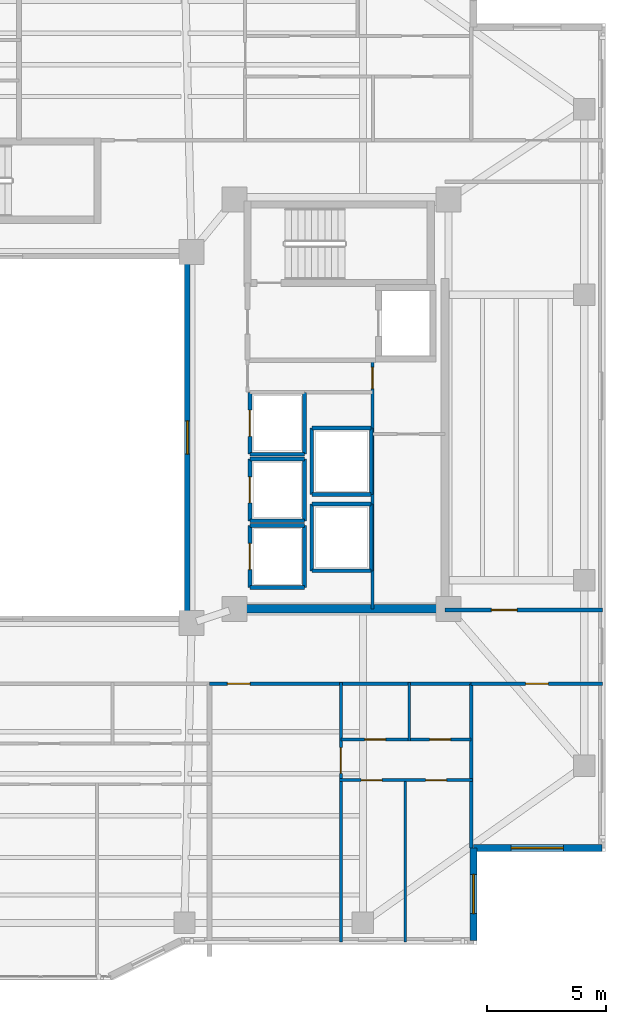
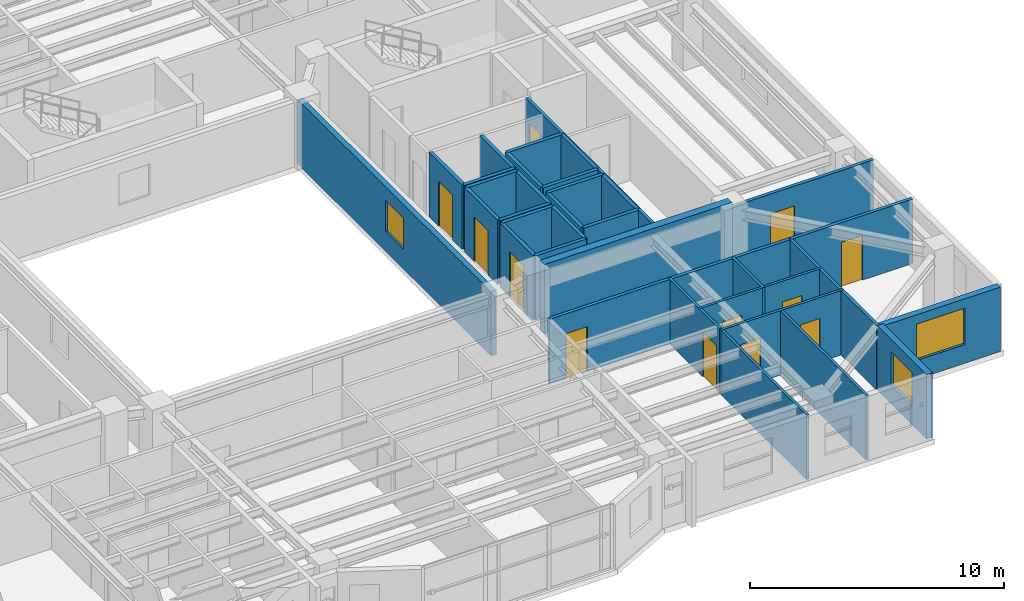
# One storey, part 8 of 15: 34 walls, 12 doors, 3 windows, 15 openings.
"""IFC4 building model written with IfcOpenShell, lengths in metres."""

from ifc_helpers import new_model, si_unit, direction, frame, frame_2d, origin, place, context, subcontext, project, spatial, rectangle, extrude, material, layer, layer_set, type_object, element, fill, save


model = new_model("IFC4")

# Units and contexts
model_context = context("Model", 3, precision=1e-05, world=origin(), true_north=direction((0.0, 1.0)))
body_context = subcontext(model_context, "Body", "Model", "MODEL_VIEW")
ifc_project = project(units=[si_unit("LENGTHUNIT", "METRE"), si_unit("AREAUNIT", "SQUARE_METRE"), si_unit("VOLUMEUNIT", "CUBIC_METRE"), si_unit("PLANEANGLEUNIT", "RADIAN"), si_unit("MASSUNIT", "GRAM", prefix="KILO")], contexts=[model_context])

# Site, building, storey
site_placement = place(None, origin())
site = spatial("IfcSite", under=ifc_project, at=site_placement, CompositionType="ELEMENT")
building_placement = place(site_placement, origin())
building = spatial("IfcBuilding", under=site, at=building_placement, Name="Tarnavaz Court Tower", CompositionType="ELEMENT")
storey_placement = place(building_placement, frame((0.0, 0.0, 162.75)))
storey = spatial("IfcBuildingStorey", under=building, at=storey_placement, Name="L44", CompositionType="ELEMENT", Elevation=162.75)

# Wall
ifc_material_1 = material(Name="Concrete C50/60", Category="concrete")
ifc_layer_1 = layer(ifc_material_1, 0.35009765625)
ifc_layer_set_1 = layer_set([ifc_layer_1], Name="Concrete C50/60")
wall_type_1 = type_object("IfcWallType", Name="WL-CORE-350-C50", PredefinedType="SHEAR", material=ifc_layer_set_1)
wall_1_placement = place(storey_placement, frame((10.074951171875, -7.199951171875, 0.0), z_axis=(0.0, 0.0, 1.0), x_axis=(1.0, 0.0, 0.0)))
element("IfcWall", 1, at=wall_1_placement, inside=storey, type_object=wall_type_1, Name="L44 East Core South Shear Wall 060", PredefinedType="SHEAR", context=body_context, shape_type="SweptSolid", body=[
    extrude(rectangle(XDim=8.550048828125, YDim=0.35009765625, at=frame_2d((4.27490234375, 0.0))), origin(), (0.0, 0.0, 1.0), 3.35009765625),
])

# Wall, opening, window
ifc_material_2 = material(Name="Precast Concrete C40/50", Category="concrete")
ifc_layer_2 = layer(ifc_material_2, 0.280029296875)
ifc_layer_set_2 = layer_set([ifc_layer_2], Name="Precast Concrete C40/50")
wall_type_2 = type_object("IfcWallType", Name="WL-EXT-280", PredefinedType="SOLIDWALL", material=ifc_layer_set_2)
wall_2_placement = place(storey_placement, frame((25.050048828125, -17.25, 0.0), z_axis=(0.0, 0.0, 1.0), x_axis=(-1.0, 0.0, 0.0)))
wall_2 = element("IfcWall", 2, at=wall_2_placement, inside=storey, type_object=wall_type_2, Name="L44 Exterior Terracotta Facade Wall 13", PredefinedType="SOLIDWALL", context=body_context, shape_type="SweptSolid", body=[
    extrude(rectangle(XDim=5.400146484375, YDim=0.280029296875, at=frame_2d((2.7001953125, 0.0))), origin(), (0.0, 0.0, 1.0), 3.10009765625),
])
opening_1_placement = place(wall_2_placement, frame((1.625, 0.0, 0.89990234375)))
opening_1 = element("IfcOpeningElement", 3, at=opening_1_placement, cuts=wall_2, Name="Opening W07", PredefinedType="OPENING", context=body_context, shape_type="SweptSolid", body=[
    extrude(rectangle(XDim=2.199951171875, YDim=1.75, at=frame_2d((1.10009765625, 0.875))), frame((0.0, 0.14990234375, 0.0), z_axis=(0.0, -1.0, 0.0), x_axis=(1.0, 0.0, 0.0)), (0.0, 0.0, 1.0), 0.300048828125),
])
ifc_material_3 = material(Name="Double-Glazed Solar Low-E Glass", Category="glass")
window_type_1 = type_object("IfcWindowType", Name="WN-APT-2200", PartitioningType="TRIPLE_PANEL_VERTICAL", PredefinedType="WINDOW", material=ifc_material_3)
window_1_placement = place(opening_1_placement, origin())
window_1 = element("IfcWindow", 4, at=window_1_placement, inside=storey, type_object=window_type_1, Name="L44 South-East Corner Reading Room Window", OverallHeight=1.75, OverallWidth=2.199951171875, PartitioningType="SINGLE_PANEL", PredefinedType="WINDOW", context=body_context, shape_type="SweptSolid", body=[
    extrude(rectangle(XDim=2.199951171875, YDim=1.75, at=frame_2d((1.10009765625, 0.875))), frame((0.0, 0.030029296875, 0.0), z_axis=(0.0, -1.0, 0.0), x_axis=(1.0, 0.0, 0.0)), (0.0, 0.0, 1.0), 0.06005859375),
])
fill(opening_1, window_1)

wall_3_placement = place(storey_placement, frame((19.64990234375, -17.25, 0.0), z_axis=(0.0, 0.0, 1.0), x_axis=(0.0, -1.0, 0.0)))
wall_3 = element("IfcWall", 5, at=wall_3_placement, inside=storey, type_object=wall_type_2, Name="L44 Exterior Terracotta Facade Wall 14", PredefinedType="SOLIDWALL", context=body_context, shape_type="SweptSolid", body=[
    extrude(rectangle(XDim=3.89990234375, YDim=0.280029296875, at=frame_2d((1.949951171875, 0.0))), origin(), (0.0, 0.0, 1.0), 3.10009765625),
])
opening_2_placement = place(wall_3_placement, frame((1.107177734375, 0.0, 0.89990234375)))
opening_2 = element("IfcOpeningElement", 6, at=opening_2_placement, cuts=wall_3, Name="Opening W02", PredefinedType="OPENING", context=body_context, shape_type="SweptSolid", body=[
    extrude(rectangle(XDim=1.64990234375, YDim=1.60009765625, at=frame_2d((0.824951171875, 0.800048828125))), frame((0.0, 0.14990234375, 0.0), z_axis=(0.0, -1.0, 0.0), x_axis=(1.0, 0.0, 0.0)), (0.0, 0.0, 1.0), 0.300048828125),
])
window_type_2 = type_object("IfcWindowType", Name="WN-APT-1650", PartitioningType="DOUBLE_PANEL_VERTICAL", PredefinedType="WINDOW", material=ifc_material_3)
window_2_placement = place(opening_2_placement, origin())
window_2 = element("IfcWindow", 7, at=window_2_placement, inside=storey, type_object=window_type_2, Name="L44 Flat 04 Bedroom 2 Window", OverallHeight=1.60009765625, OverallWidth=1.64990234375, PartitioningType="SINGLE_PANEL", PredefinedType="WINDOW", context=body_context, shape_type="SweptSolid", body=[
    extrude(rectangle(XDim=1.64990234375, YDim=1.60009765625, at=frame_2d((0.824951171875, 0.800048828125))), frame((0.0, 0.030029296875, 0.0), z_axis=(0.0, -1.0, 0.0), x_axis=(1.0, 0.0, 0.0)), (0.0, 0.0, 1.0), 0.06005859375),
])
fill(opening_2, window_2)

# Wall, opening, door
ifc_material_4 = material(Name="Gypsum Fire-Board on Acoustic Metal Stud", Category="masonry")
ifc_layer_3 = layer(ifc_material_4, 0.14990234375)
ifc_layer_set_3 = layer_set([ifc_layer_3], Name="Gypsum Fire-Board on Acoustic Metal Stud")
wall_type_3 = type_object("IfcWallType", Name="WL-FIRE-150", PredefinedType="PARTITIONING", material=ifc_layer_set_3)
wall_4_placement = place(storey_placement, frame((8.550048828125, -10.35009765625, 0.0), z_axis=(0.0, 0.0, 1.0), x_axis=(1.0, 0.0, 0.0)))
wall_4 = element("IfcWall", 8, at=wall_4_placement, inside=storey, type_object=wall_type_3, Name="L44 SE Horseshoe Wall 075", PredefinedType="PARTITIONING", context=body_context, shape_type="SweptSolid", body=[
    extrude(rectangle(XDim=11.0, YDim=0.14990234375, at=frame_2d((5.5, 0.0))), origin(), (0.0, 0.0, 1.0), 3.10009765625),
])
opening_3_placement = place(wall_4_placement, frame((0.75, 0.0, 0.0)))
opening_3 = element("IfcOpeningElement", 9, at=opening_3_placement, cuts=wall_4, Name="Opening D06", PredefinedType="OPENING", context=body_context, shape_type="SweptSolid", body=[
    extrude(rectangle(XDim=0.9599609375, YDim=2.14990234375, at=frame_2d((0.47998046875, 1.074951171875))), frame((0.0, 0.0849609375, 0.0), z_axis=(0.0, -1.0, 0.0), x_axis=(1.0, 0.0, 0.0)), (0.0, 0.0, 1.0), 0.169921875),
])
ifc_material_5 = material(Name="Fire-Rated Hardwood Timber Core", Category="wood")
door_type_1 = type_object("IfcDoorType", Name="DR-FD60-950", OperationType="NOTDEFINED", PredefinedType="DOOR", material=ifc_material_5)
door_1_placement = place(opening_3_placement, origin())
door_1 = element("IfcDoor", 10, at=door_1_placement, inside=storey, type_object=door_type_1, Name="L44 Flat 04 Entrance Door", OperationType="SINGLE_SWING_RIGHT", OverallHeight=2.14990234375, OverallWidth=0.9599609375, PredefinedType="DOOR", context=body_context, shape_type="SweptSolid", body=[
    extrude(rectangle(XDim=0.9599609375, YDim=2.14990234375, at=frame_2d((0.47998046875, 1.074951171875))), frame((0.0, 0.02490234375, 0.0), z_axis=(0.0, -1.0, 0.0), x_axis=(1.0, 0.0, 0.0)), (0.0, 0.0, 1.0), 0.050048828125),
])
fill(opening_3, door_1)

wall_5_placement = place(storey_placement, frame((18.449951171875, -7.25, 0.0), z_axis=(0.0, 0.0, 1.0), x_axis=(1.0, 0.0, 0.0)))
wall_5 = element("IfcWall", 11, at=wall_5_placement, inside=storey, type_object=wall_type_3, Name="L44 Interior Partition 112", PredefinedType="PARTITIONING", context=body_context, shape_type="SweptSolid", body=[
    extrude(rectangle(XDim=6.630126953125, YDim=0.14990234375, at=frame_2d((3.31494140625, 0.0))), origin(), (0.0, 0.0, 1.0), 3.10009765625),
])
opening_4_placement = place(wall_5_placement, frame((1.949951171875, 0.0, 0.0)))
opening_4 = element("IfcOpeningElement", 12, at=opening_4_placement, cuts=wall_5, Name="Opening D12", PredefinedType="OPENING", context=body_context, shape_type="SweptSolid", body=[
    extrude(rectangle(XDim=1.080078125, YDim=2.14990234375, at=frame_2d((0.5400390625, 1.074951171875))), frame((0.0, 0.0849609375, 0.0), z_axis=(0.0, -1.0, 0.0), x_axis=(1.0, 0.0, 0.0)), (0.0, 0.0, 1.0), 0.169921875),
])
ifc_material_6 = material(Name="Engineered Oak Timber", Category="wood")
door_type_2 = type_object("IfcDoorType", Name="DR-INT-1100", OperationType="NOTDEFINED", PredefinedType="DOOR", material=ifc_material_6)
door_2_placement = place(opening_4_placement, origin())
door_2 = element("IfcDoor", 13, at=door_2_placement, inside=storey, type_object=door_type_2, Name="L44 East Fitness Lounge Door", OperationType="SINGLE_SWING_LEFT", OverallHeight=2.14990234375, OverallWidth=1.080078125, PredefinedType="DOOR", context=body_context, shape_type="SweptSolid", body=[
    extrude(rectangle(XDim=1.080078125, YDim=2.14990234375, at=frame_2d((0.5400390625, 1.074951171875))), frame((0.0, 0.02490234375, 0.0), z_axis=(0.0, -1.0, 0.0), x_axis=(1.0, 0.0, 0.0)), (0.0, 0.0, 1.0), 0.050048828125),
])
fill(opening_4, door_2)

wall_6_placement = place(storey_placement, frame((19.550048828125, -10.35009765625, 0.0), z_axis=(0.0, 0.0, 1.0), x_axis=(1.0, 0.0, 0.0)))
wall_6 = element("IfcWall", 14, at=wall_6_placement, inside=storey, type_object=wall_type_3, Name="L44 Interior Partition 121", PredefinedType="PARTITIONING", context=body_context, shape_type="SweptSolid", body=[
    extrude(rectangle(XDim=5.530029296875, YDim=0.14990234375, at=frame_2d((2.76513671875, 0.0))), origin(), (0.0, 0.0, 1.0), 3.10009765625),
])
opening_5_placement = place(wall_6_placement, frame((2.2900390625, 0.0, 0.0)))
opening_5 = element("IfcOpeningElement", 15, at=opening_5_placement, cuts=wall_6, Name="Opening D13", PredefinedType="OPENING", context=body_context, shape_type="SweptSolid", body=[
    extrude(rectangle(XDim=0.949951171875, YDim=2.14990234375, at=frame_2d((0.47509765625, 1.074951171875))), frame((0.0, 0.0849609375, 0.0), z_axis=(0.0, -1.0, 0.0), x_axis=(1.0, 0.0, 0.0)), (0.0, 0.0, 1.0), 0.169921875),
])
door_type_3 = type_object("IfcDoorType", Name="DR-INT-950", OperationType="NOTDEFINED", PredefinedType="DOOR", material=ifc_material_6)
door_3_placement = place(opening_5_placement, origin())
door_3 = element("IfcDoor", 16, at=door_3_placement, inside=storey, type_object=door_type_3, Name="L44 SE Reading Room Door", OperationType="SINGLE_SWING_LEFT", OverallHeight=2.14990234375, OverallWidth=0.949951171875, PredefinedType="DOOR", context=body_context, shape_type="SweptSolid", body=[
    extrude(rectangle(XDim=0.949951171875, YDim=2.14990234375, at=frame_2d((0.47509765625, 1.074951171875))), frame((0.0, 0.02490234375, 0.0), z_axis=(0.0, -1.0, 0.0), x_axis=(1.0, 0.0, 0.0)), (0.0, 0.0, 1.0), 0.050048828125),
])
fill(opening_5, door_3)

ifc_material_7 = material(Name="Moisture-Resistant Gypsum Board Partition", Category="masonry")
ifc_layer_4 = layer(ifc_material_7, 0.1201171875)
ifc_layer_set_4 = layer_set([ifc_layer_4], Name="Moisture-Resistant Gypsum Board Partition")
wall_type_4 = type_object("IfcWallType", Name="WL-PART-120", PredefinedType="PARTITIONING", material=ifc_layer_set_4)
wall_7_placement = place(storey_placement, frame((14.074951171875, -21.199951171875, 0.0), z_axis=(0.0, 0.0, 1.0), x_axis=(0.0, 1.0, 0.0)))
wall_7 = element("IfcWall", 17, at=wall_7_placement, inside=storey, type_object=wall_type_4, Name="L44 Interior Partition 095", PredefinedType="PARTITIONING", context=body_context, shape_type="SweptSolid", body=[
    extrude(rectangle(XDim=10.909912109375, YDim=0.1201171875, at=frame_2d((5.455078125, 0.0))), origin(), (0.0, 0.0, 1.0), 3.10009765625),
])
opening_6_placement = place(wall_7_placement, frame((7.0849609375, 0.0, 0.0)))
opening_6 = element("IfcOpeningElement", 18, at=opening_6_placement, cuts=wall_7, Name="Opening D12", PredefinedType="OPENING", context=body_context, shape_type="SweptSolid", body=[
    extrude(rectangle(XDim=1.080078125, YDim=2.14990234375, at=frame_2d((0.5400390625, 1.074951171875))), frame((0.0, 0.070068359375, 0.0), z_axis=(0.0, -1.0, 0.0), x_axis=(1.0, 0.0, 0.0)), (0.0, 0.0, 1.0), 0.14013671875),
])
door_4_placement = place(opening_6_placement, origin())
door_4 = element("IfcDoor", 19, at=door_4_placement, inside=storey, type_object=door_type_2, Name="L44 Flat 04 Foyer Door", OperationType="SINGLE_SWING_LEFT", OverallHeight=2.14990234375, OverallWidth=1.080078125, PredefinedType="DOOR", context=body_context, shape_type="SweptSolid", body=[
    extrude(rectangle(XDim=1.080078125, YDim=2.14990234375, at=frame_2d((0.5400390625, 1.074951171875))), frame((0.0, 0.02490234375, 0.0), z_axis=(0.0, -1.0, 0.0), x_axis=(1.0, 0.0, 0.0)), (0.0, 0.0, 1.0), 0.050048828125),
])
fill(opening_6, door_4)

wall_8_placement = place(storey_placement, frame((14.074951171875, -12.68994140625, 0.0), z_axis=(0.0, 0.0, 1.0), x_axis=(1.0, 0.0, 0.0)))
wall_8 = element("IfcWall", 20, at=wall_8_placement, inside=storey, type_object=wall_type_4, Name="L44 Interior Partition 096", PredefinedType="PARTITIONING", context=body_context, shape_type="SweptSolid", body=[
    extrude(rectangle(XDim=2.8701171875, YDim=0.1201171875, at=frame_2d((1.43505859375, 0.0))), origin(), (0.0, 0.0, 1.0), 3.10009765625),
])
opening_7_placement = place(wall_8_placement, frame((0.9951171875, 0.0, 0.0)))
opening_7 = element("IfcOpeningElement", 21, at=opening_7_placement, cuts=wall_8, Name="Opening D14", PredefinedType="OPENING", context=body_context, shape_type="SweptSolid", body=[
    extrude(rectangle(XDim=0.8798828125, YDim=2.10009765625, at=frame_2d((0.43994140625, 1.050048828125))), frame((0.0, 0.070068359375, 0.0), z_axis=(0.0, -1.0, 0.0), x_axis=(1.0, 0.0, 0.0)), (0.0, 0.0, 1.0), 0.14013671875),
])
door_type_4 = type_object("IfcDoorType", Name="DR-INT-900", OperationType="NOTDEFINED", PredefinedType="DOOR", material=ifc_material_6)
door_5_placement = place(opening_7_placement, origin())
door_5 = element("IfcDoor", 22, at=door_5_placement, inside=storey, type_object=door_type_4, Name="L44 Flat 04 Kitchen Door", OperationType="SINGLE_SWING_RIGHT", OverallHeight=2.10009765625, OverallWidth=0.8798828125, PredefinedType="DOOR", context=body_context, shape_type="SweptSolid", body=[
    extrude(rectangle(XDim=0.8798828125, YDim=2.10009765625, at=frame_2d((0.43994140625, 1.050048828125))), frame((0.0, 0.02490234375, 0.0), z_axis=(0.0, -1.0, 0.0), x_axis=(1.0, 0.0, 0.0)), (0.0, 0.0, 1.0), 0.050048828125),
])
fill(opening_7, door_5)

wall_9_placement = place(storey_placement, frame((16.945068359375, -12.68994140625, 0.0), z_axis=(0.0, 0.0, 1.0), x_axis=(1.0, 0.0, 0.0)))
wall_9 = element("IfcWall", 23, at=wall_9_placement, inside=storey, type_object=wall_type_4, Name="L44 Interior Partition 097", PredefinedType="PARTITIONING", context=body_context, shape_type="SweptSolid", body=[
    extrude(rectangle(XDim=2.60498046875, YDim=0.1201171875, at=frame_2d((1.302490234375, 0.0))), origin(), (0.0, 0.0, 1.0), 3.10009765625),
])
opening_8_placement = place(wall_9_placement, frame((0.863037109375, 0.0, 0.0)))
opening_8 = element("IfcOpeningElement", 24, at=opening_8_placement, cuts=wall_9, Name="Opening D14", PredefinedType="OPENING", context=body_context, shape_type="SweptSolid", body=[
    extrude(rectangle(XDim=0.8798828125, YDim=2.10009765625, at=frame_2d((0.43994140625, 1.050048828125))), frame((0.0, 0.070068359375, 0.0), z_axis=(0.0, -1.0, 0.0), x_axis=(1.0, 0.0, 0.0)), (0.0, 0.0, 1.0), 0.14013671875),
])
door_6_placement = place(opening_8_placement, origin())
door_6 = element("IfcDoor", 25, at=door_6_placement, inside=storey, type_object=door_type_4, Name="L44 Flat 04 Bathroom Door", OperationType="SINGLE_SWING_LEFT", OverallHeight=2.10009765625, OverallWidth=0.8798828125, PredefinedType="DOOR", context=body_context, shape_type="SweptSolid", body=[
    extrude(rectangle(XDim=0.8798828125, YDim=2.10009765625, at=frame_2d((0.43994140625, 1.050048828125))), frame((0.0, 0.02490234375, 0.0), z_axis=(0.0, -1.0, 0.0), x_axis=(1.0, 0.0, 0.0)), (0.0, 0.0, 1.0), 0.050048828125),
])
fill(opening_8, door_6)

# Wall, openings, doors
wall_10_placement = place(storey_placement, frame((14.014892578125, -14.39990234375, 0.0), z_axis=(0.0, 0.0, 1.0), x_axis=(1.0, 0.0, 0.0)))
wall_10 = element("IfcWall", 26, at=wall_10_placement, inside=storey, type_object=wall_type_4, Name="L44 Interior Partition 098", PredefinedType="PARTITIONING", context=body_context, shape_type="SweptSolid", body=[
    extrude(rectangle(XDim=5.59521484375, YDim=0.1201171875, at=frame_2d((2.797607421875, 0.0))), origin(), (0.0, 0.0, 1.0), 3.10009765625),
])
opening_9_placement = place(wall_10_placement, frame((0.9140625, 0.0, 0.0)))
opening_9 = element("IfcOpeningElement", 27, at=opening_9_placement, cuts=wall_10, Name="Opening D14", PredefinedType="OPENING", context=body_context, shape_type="SweptSolid", body=[
    extrude(rectangle(XDim=0.8798828125, YDim=2.10009765625, at=frame_2d((0.43994140625, 1.050048828125))), frame((0.0, 0.070068359375, 0.0), z_axis=(0.0, -1.0, 0.0), x_axis=(1.0, 0.0, 0.0)), (0.0, 0.0, 1.0), 0.14013671875),
])
opening_10_placement = place(wall_10_placement, frame((3.62109375, 0.0, 0.0)))
opening_10 = element("IfcOpeningElement", 28, at=opening_10_placement, cuts=wall_10, Name="Opening D14", PredefinedType="OPENING", context=body_context, shape_type="SweptSolid", body=[
    extrude(rectangle(XDim=0.8798828125, YDim=2.10009765625, at=frame_2d((0.43994140625, 1.050048828125))), frame((0.0, 0.070068359375, 0.0), z_axis=(0.0, -1.0, 0.0), x_axis=(1.0, 0.0, 0.0)), (0.0, 0.0, 1.0), 0.14013671875),
])
door_7_placement = place(opening_9_placement, origin())
door_7 = element("IfcDoor", 29, at=door_7_placement, inside=storey, type_object=door_type_4, Name="L44 Flat 04 Bedroom 1 Door", OperationType="SINGLE_SWING_RIGHT", OverallHeight=2.10009765625, OverallWidth=0.8798828125, PredefinedType="DOOR", context=body_context, shape_type="SweptSolid", body=[
    extrude(rectangle(XDim=0.8798828125, YDim=2.10009765625, at=frame_2d((0.43994140625, 1.050048828125))), frame((0.0, 0.02490234375, 0.0), z_axis=(0.0, -1.0, 0.0), x_axis=(1.0, 0.0, 0.0)), (0.0, 0.0, 1.0), 0.050048828125),
])
fill(opening_9, door_7)
door_8_placement = place(opening_10_placement, origin())
door_8 = element("IfcDoor", 30, at=door_8_placement, inside=storey, type_object=door_type_4, Name="L44 Flat 04 Bedroom 2 Door", OperationType="SINGLE_SWING_LEFT", OverallHeight=2.10009765625, OverallWidth=0.8798828125, PredefinedType="DOOR", context=body_context, shape_type="SweptSolid", body=[
    extrude(rectangle(XDim=0.8798828125, YDim=2.10009765625, at=frame_2d((0.43994140625, 1.050048828125))), frame((0.0, 0.02490234375, 0.0), z_axis=(0.0, -1.0, 0.0), x_axis=(1.0, 0.0, 0.0)), (0.0, 0.0, 1.0), 0.050048828125),
])
fill(opening_10, door_8)

# Walls
wall_11_placement = place(storey_placement, frame((16.945068359375, -12.75, 0.0), z_axis=(0.0, 0.0, 1.0), x_axis=(0.0, 1.0, 0.0)))
element("IfcWall", 31, at=wall_11_placement, inside=storey, type_object=wall_type_4, Name="L44 Interior Partition 099", PredefinedType="PARTITIONING", context=body_context, shape_type="SweptSolid", body=[
    extrude(rectangle(XDim=2.4599609375, YDim=0.1201171875, at=frame_2d((1.22998046875, 0.0))), origin(), (0.0, 0.0, 1.0), 3.10009765625),
])
wall_12_placement = place(storey_placement, frame((16.781982421875, -21.199951171875, 0.0), z_axis=(0.0, 0.0, 1.0), x_axis=(0.0, 1.0, 0.0)))
element("IfcWall", 32, at=wall_12_placement, inside=storey, type_object=wall_type_4, Name="L44 Interior Partition 100", PredefinedType="PARTITIONING", context=body_context, shape_type="SweptSolid", body=[
    extrude(rectangle(XDim=6.85986328125, YDim=0.1201171875, at=frame_2d((3.429931640625, 0.0))), origin(), (0.0, 0.0, 1.0), 3.10009765625),
])

# Wall, opening, door
ifc_material_8 = material(Name="Gypsum Plasterboard Acoustic Partition", Category="masonry")
ifc_layer_5 = layer(ifc_material_8, 0.139892578125)
ifc_layer_set_5 = layer_set([ifc_layer_5], Name="Gypsum Plasterboard Acoustic Partition")
wall_type_5 = type_object("IfcWallType", Name="WL-PART-150", PredefinedType="PARTITIONING", material=ifc_layer_set_5)
wall_13_placement = place(storey_placement, frame((15.39990234375, -7.199951171875, 0.0), z_axis=(0.0, 0.0, 1.0), x_axis=(0.0, 1.0, 0.0)))
wall_13 = element("IfcWall", 33, at=wall_13_placement, inside=storey, type_object=wall_type_5, Name="L44 Interior Partition 070", PredefinedType="PARTITIONING", context=body_context, shape_type="SweptSolid", body=[
    extrude(rectangle(XDim=10.449951171875, YDim=0.139892578125, at=frame_2d((5.22509765625, 0.0))), origin(), (0.0, 0.0, 1.0), 3.10009765625),
])
opening_11_placement = place(wall_13_placement, frame((9.25, 0.0, 0.0)))
opening_11 = element("IfcOpeningElement", 34, at=opening_11_placement, cuts=wall_13, Name="Opening D09", PredefinedType="OPENING", context=body_context, shape_type="SweptSolid", body=[
    extrude(rectangle(XDim=0.89990234375, YDim=2.080078125, at=frame_2d((0.449951171875, 1.0400390625))), frame((0.0, 0.079833984375, 0.0), z_axis=(0.0, -1.0, 0.0), x_axis=(1.0, 0.0, 0.0)), (0.0, 0.0, 1.0), 0.159912109375),
])
door_type_5 = type_object("IfcDoorType", Name="DR-FD30-900", OperationType="NOTDEFINED", PredefinedType="DOOR", material=ifc_material_5)
door_9_placement = place(opening_11_placement, origin())
door_9 = element("IfcDoor", 35, at=door_9_placement, inside=storey, type_object=door_type_5, Name="L44 East Wet Riser Door", OperationType="SINGLE_SWING_RIGHT", OverallHeight=2.080078125, OverallWidth=0.89990234375, PredefinedType="DOOR", context=body_context, shape_type="SweptSolid", body=[
    extrude(rectangle(XDim=0.89990234375, YDim=2.080078125, at=frame_2d((0.449951171875, 1.0400390625))), frame((0.0, 0.02490234375, 0.0), z_axis=(0.0, -1.0, 0.0), x_axis=(1.0, 0.0, 0.0)), (0.0, 0.0, 1.0), 0.050048828125),
])
fill(opening_11, door_9)

# Wall
wall_14_placement = place(storey_placement, frame((19.550048828125, -17.25, 0.0), z_axis=(0.0, 0.0, 1.0), x_axis=(0.0, 1.0, 0.0)))
element("IfcWall", 36, at=wall_14_placement, inside=storey, type_object=wall_type_5, Name="L44 Interior Partition 115", PredefinedType="PARTITIONING", context=body_context, shape_type="SweptSolid", body=[
    extrude(rectangle(XDim=6.89990234375, YDim=0.139892578125, at=frame_2d((3.449951171875, 0.0))), origin(), (0.0, 0.0, 1.0), 3.10009765625),
])

# Wall, opening, door
ifc_material_9 = material(Name="Autoclaved Aerated Concrete Blockwork", Category="masonry")
ifc_layer_6 = layer(ifc_material_9, 0.159912109375)
ifc_layer_set_6 = layer_set([ifc_layer_6], Name="Autoclaved Aerated Concrete Blockwork")
wall_type_6 = type_object("IfcWallType", Name="WL-SHAFT-150", PredefinedType="SOLIDWALL", material=ifc_layer_set_6)
wall_15_placement = place(storey_placement, frame((10.25, -6.300048828125, 0.0), z_axis=(0.0, 0.0, 1.0), x_axis=(0.0, 1.0, 0.0)))
wall_15 = element("IfcWall", 37, at=wall_15_placement, inside=storey, type_object=wall_type_6, Name="L44 Lift PL-M1 Shaft Wall 037", PredefinedType="SOLIDWALL", context=body_context, shape_type="SweptSolid", body=[
    extrude(rectangle(XDim=2.60009765625, YDim=0.159912109375, at=frame_2d((1.300048828125, 0.0))), origin(), (0.0, 0.0, 1.0), 3.10009765625),
])
opening_12_placement = place(wall_15_placement, frame((0.75, 0.0, 0.0)))
opening_12 = element("IfcOpeningElement", 38, at=opening_12_placement, cuts=wall_15, Name="Opening LD1", PredefinedType="OPENING", context=body_context, shape_type="SweptSolid", body=[
    extrude(rectangle(XDim=1.10009765625, YDim=2.14990234375, at=frame_2d((0.550048828125, 1.074951171875))), frame((0.0, 0.08984375, 0.0), z_axis=(0.0, -1.0, 0.0), x_axis=(1.0, 0.0, 0.0)), (0.0, 0.0, 1.0), 0.179931640625),
])
ifc_material_10 = material(Name="Stainless Steel", Category="steel")
door_type_6 = type_object("IfcDoorType", Name="DR-LD-1100", OperationType="NOTDEFINED", PredefinedType="DOOR", material=ifc_material_10)
door_10_placement = place(opening_12_placement, origin())
door_10 = element("IfcDoor", 39, at=door_10_placement, inside=storey, type_object=door_type_6, Name="L44 Lift Landing Door LD-PL-M1", OperationType="SLIDING_TO_LEFT", OverallHeight=2.14990234375, OverallWidth=1.10009765625, PredefinedType="DOOR", context=body_context, shape_type="SweptSolid", body=[
    extrude(rectangle(XDim=1.10009765625, YDim=2.14990234375, at=frame_2d((0.550048828125, 1.074951171875))), frame((0.0, 0.02490234375, 0.0), z_axis=(0.0, -1.0, 0.0), x_axis=(1.0, 0.0, 0.0)), (0.0, 0.0, 1.0), 0.050048828125),
])
fill(opening_12, door_10)

# Walls
wall_16_placement = place(storey_placement, frame((12.550048828125, -6.300048828125, 0.0), z_axis=(0.0, 0.0, 1.0), x_axis=(0.0, 1.0, 0.0)))
element("IfcWall", 40, at=wall_16_placement, inside=storey, type_object=wall_type_6, Name="L44 Lift PL-M1 Shaft Wall 038", PredefinedType="SOLIDWALL", context=body_context, shape_type="SweptSolid", body=[
    extrude(rectangle(XDim=2.60009765625, YDim=0.159912109375, at=frame_2d((1.300048828125, 0.0))), origin(), (0.0, 0.0, 1.0), 3.10009765625),
])
for number, where, z_axis, x_axis, name in (
    (41, (10.25, -6.300048828125, 0.0), (0.0, 0.0, 1.0), (1.0, 0.0, 0.0), "L44 Lift PL-M1 Shaft Wall 039"),
    (42, (10.25, -3.699951171875, 0.0), (0.0, 0.0, 1.0), (1.0, 0.0, 0.0), "L44 Lift PL-M1 Shaft Wall 040"),
):
    element("IfcWall", number, at=place(storey_placement, frame(where, z_axis=z_axis, x_axis=x_axis)), inside=storey, type_object=wall_type_6, Name=name, PredefinedType="SOLIDWALL", context=body_context, shape_type="SweptSolid", body=[
        extrude(rectangle(XDim=2.300048828125, YDim=0.159912109375, at=frame_2d((1.14990234375, 0.0))), origin(), (0.0, 0.0, 1.0), 3.10009765625),
    ])

# Wall, opening, door
wall_17_placement = place(storey_placement, frame((10.25, -3.5, 0.0), z_axis=(0.0, 0.0, 1.0), x_axis=(0.0, 1.0, 0.0)))
wall_17 = element("IfcWall", 43, at=wall_17_placement, inside=storey, type_object=wall_type_6, Name="L44 Lift PL-M2 Shaft Wall 041", PredefinedType="SOLIDWALL", context=body_context, shape_type="SweptSolid", body=[
    extrude(rectangle(XDim=2.60009765625, YDim=0.159912109375, at=frame_2d((1.300048828125, 0.0))), origin(), (0.0, 0.0, 1.0), 3.10009765625),
])
opening_13_placement = place(wall_17_placement, frame((0.75, 0.0, 0.0)))
opening_13 = element("IfcOpeningElement", 44, at=opening_13_placement, cuts=wall_17, Name="Opening LD1", PredefinedType="OPENING", context=body_context, shape_type="SweptSolid", body=[
    extrude(rectangle(XDim=1.10009765625, YDim=2.14990234375, at=frame_2d((0.550048828125, 1.074951171875))), frame((0.0, 0.08984375, 0.0), z_axis=(0.0, -1.0, 0.0), x_axis=(1.0, 0.0, 0.0)), (0.0, 0.0, 1.0), 0.179931640625),
])
door_11_placement = place(opening_13_placement, origin())
door_11 = element("IfcDoor", 45, at=door_11_placement, inside=storey, type_object=door_type_6, Name="L44 Lift Landing Door LD-PL-M2", OperationType="SLIDING_TO_LEFT", OverallHeight=2.14990234375, OverallWidth=1.10009765625, PredefinedType="DOOR", context=body_context, shape_type="SweptSolid", body=[
    extrude(rectangle(XDim=1.10009765625, YDim=2.14990234375, at=frame_2d((0.550048828125, 1.074951171875))), frame((0.0, 0.02490234375, 0.0), z_axis=(0.0, -1.0, 0.0), x_axis=(1.0, 0.0, 0.0)), (0.0, 0.0, 1.0), 0.050048828125),
])
fill(opening_13, door_11)

# Walls
wall_18_placement = place(storey_placement, frame((12.550048828125, -3.5, 0.0), z_axis=(0.0, 0.0, 1.0), x_axis=(0.0, 1.0, 0.0)))
element("IfcWall", 46, at=wall_18_placement, inside=storey, type_object=wall_type_6, Name="L44 Lift PL-M2 Shaft Wall 042", PredefinedType="SOLIDWALL", context=body_context, shape_type="SweptSolid", body=[
    extrude(rectangle(XDim=2.60009765625, YDim=0.159912109375, at=frame_2d((1.300048828125, 0.0))), origin(), (0.0, 0.0, 1.0), 3.10009765625),
])
for number, where, z_axis, x_axis, name in (
    (47, (10.25, -3.5, 0.0), (0.0, 0.0, 1.0), (1.0, 0.0, 0.0), "L44 Lift PL-M2 Shaft Wall 043"),
    (48, (10.25, -0.89990234375, 0.0), (0.0, 0.0, 1.0), (1.0, 0.0, 0.0), "L44 Lift PL-M2 Shaft Wall 044"),
):
    element("IfcWall", number, at=place(storey_placement, frame(where, z_axis=z_axis, x_axis=x_axis)), inside=storey, type_object=wall_type_6, Name=name, PredefinedType="SOLIDWALL", context=body_context, shape_type="SweptSolid", body=[
        extrude(rectangle(XDim=2.300048828125, YDim=0.159912109375, at=frame_2d((1.14990234375, 0.0))), origin(), (0.0, 0.0, 1.0), 3.10009765625),
    ])

# Wall, opening, door
wall_19_placement = place(storey_placement, frame((10.25, -0.699951171875, 0.0), z_axis=(0.0, 0.0, 1.0), x_axis=(0.0, 1.0, 0.0)))
wall_19 = element("IfcWall", 49, at=wall_19_placement, inside=storey, type_object=wall_type_6, Name="L44 Lift PL-M3 Shaft Wall 045", PredefinedType="SOLIDWALL", context=body_context, shape_type="SweptSolid", body=[
    extrude(rectangle(XDim=2.599853515625, YDim=0.159912109375, at=frame_2d((1.2998046875, 0.0))), origin(), (0.0, 0.0, 1.0), 3.10009765625),
])
opening_14_placement = place(wall_19_placement, frame((0.75, 0.0, 0.0)))
opening_14 = element("IfcOpeningElement", 50, at=opening_14_placement, cuts=wall_19, Name="Opening LD1", PredefinedType="OPENING", context=body_context, shape_type="SweptSolid", body=[
    extrude(rectangle(XDim=1.10009765625, YDim=2.14990234375, at=frame_2d((0.550048828125, 1.074951171875))), frame((0.0, 0.08984375, 0.0), z_axis=(0.0, -1.0, 0.0), x_axis=(1.0, 0.0, 0.0)), (0.0, 0.0, 1.0), 0.179931640625),
])
door_12_placement = place(opening_14_placement, origin())
door_12 = element("IfcDoor", 51, at=door_12_placement, inside=storey, type_object=door_type_6, Name="L44 Lift Landing Door LD-PL-M3", OperationType="SLIDING_TO_LEFT", OverallHeight=2.14990234375, OverallWidth=1.10009765625, PredefinedType="DOOR", context=body_context, shape_type="SweptSolid", body=[
    extrude(rectangle(XDim=1.10009765625, YDim=2.14990234375, at=frame_2d((0.550048828125, 1.074951171875))), frame((0.0, 0.02490234375, 0.0), z_axis=(0.0, -1.0, 0.0), x_axis=(1.0, 0.0, 0.0)), (0.0, 0.0, 1.0), 0.050048828125),
])
fill(opening_14, door_12)

# Walls
wall_20_placement = place(storey_placement, frame((12.550048828125, -0.699951171875, 0.0), z_axis=(0.0, 0.0, 1.0), x_axis=(0.0, 1.0, 0.0)))
element("IfcWall", 52, at=wall_20_placement, inside=storey, type_object=wall_type_6, Name="L44 Lift PL-M3 Shaft Wall 046", PredefinedType="SOLIDWALL", context=body_context, shape_type="SweptSolid", body=[
    extrude(rectangle(XDim=2.599853515625, YDim=0.159912109375, at=frame_2d((1.2998046875, 0.0))), origin(), (0.0, 0.0, 1.0), 3.10009765625),
])
wall_21_placement = place(storey_placement, frame((10.25, -0.699951171875, 0.0), z_axis=(0.0, 0.0, 1.0), x_axis=(1.0, 0.0, 0.0)))
element("IfcWall", 53, at=wall_21_placement, inside=storey, type_object=wall_type_6, Name="L44 Lift PL-M3 Shaft Wall 047", PredefinedType="SOLIDWALL", context=body_context, shape_type="SweptSolid", body=[
    extrude(rectangle(XDim=2.300048828125, YDim=0.159912109375, at=frame_2d((1.14990234375, 0.0))), origin(), (0.0, 0.0, 1.0), 3.10009765625),
])
for number, where, z_axis, x_axis, name in (
    (54, (12.85009765625, -5.60009765625, 0.0), (0.0, 0.0, 1.0), (0.0, 1.0, 0.0), "L44 Lift PL-OB1 Shaft Wall 049"),
    (55, (15.35009765625, -5.60009765625, 0.0), (0.0, 0.0, 1.0), (0.0, 1.0, 0.0), "L44 Lift PL-OB1 Shaft Wall 050"),
):
    element("IfcWall", number, at=place(storey_placement, frame(where, z_axis=z_axis, x_axis=x_axis)), inside=storey, type_object=wall_type_6, Name=name, PredefinedType="SOLIDWALL", context=body_context, shape_type="SweptSolid", body=[
        extrude(rectangle(XDim=2.800048828125, YDim=0.159912109375, at=frame_2d((1.39990234375, 0.0))), origin(), (0.0, 0.0, 1.0), 3.10009765625),
    ])
for number, where, z_axis, x_axis, name in (
    (56, (12.85009765625, -5.60009765625, 0.0), (0.0, 0.0, 1.0), (1.0, 0.0, 0.0), "L44 Lift PL-OB1 Shaft Wall 051"),
    (57, (12.85009765625, -2.800048828125, 0.0), (0.0, 0.0, 1.0), (1.0, 0.0, 0.0), "L44 Lift PL-OB1 Shaft Wall 052"),
):
    element("IfcWall", number, at=place(storey_placement, frame(where, z_axis=z_axis, x_axis=x_axis)), inside=storey, type_object=wall_type_6, Name=name, PredefinedType="SOLIDWALL", context=body_context, shape_type="SweptSolid", body=[
        extrude(rectangle(XDim=2.5, YDim=0.159912109375, at=frame_2d((1.25, 0.0))), origin(), (0.0, 0.0, 1.0), 3.10009765625),
    ])
for number, where, z_axis, x_axis, name in (
    (58, (12.85009765625, -2.39990234375, 0.0), (0.0, 0.0, 1.0), (0.0, 1.0, 0.0), "L44 Lift PL-OB2 Shaft Wall 053"),
    (59, (15.35009765625, -2.39990234375, 0.0), (0.0, 0.0, 1.0), (0.0, 1.0, 0.0), "L44 Lift PL-OB2 Shaft Wall 054"),
):
    element("IfcWall", number, at=place(storey_placement, frame(where, z_axis=z_axis, x_axis=x_axis)), inside=storey, type_object=wall_type_6, Name=name, PredefinedType="SOLIDWALL", context=body_context, shape_type="SweptSolid", body=[
        extrude(rectangle(XDim=2.7998046875, YDim=0.159912109375, at=frame_2d((1.39990234375, 0.0))), origin(), (0.0, 0.0, 1.0), 3.10009765625),
    ])
for number, where, z_axis, x_axis, name in (
    (60, (12.85009765625, -2.39990234375, 0.0), (0.0, 0.0, 1.0), (1.0, 0.0, 0.0), "L44 Lift PL-OB2 Shaft Wall 055"),
    (61, (12.85009765625, 0.39990234375, 0.0), (0.0, 0.0, 1.0), (1.0, 0.0, 0.0), "L44 Lift PL-OB2 Shaft Wall 056"),
):
    element("IfcWall", number, at=place(storey_placement, frame(where, z_axis=z_axis, x_axis=x_axis)), inside=storey, type_object=wall_type_6, Name=name, PredefinedType="SOLIDWALL", context=body_context, shape_type="SweptSolid", body=[
        extrude(rectangle(XDim=2.5, YDim=0.159912109375, at=frame_2d((1.25, 0.0))), origin(), (0.0, 0.0, 1.0), 3.10009765625),
    ])

# Wall, opening, window
ifc_layer_7 = layer(ifc_material_2, 0.239990234375)
ifc_layer_set_7 = layer_set([ifc_layer_7], Name="Precast Concrete C40/50")
wall_type_7 = type_object("IfcWallType", Name="WL-WELL-240", PredefinedType="SOLIDWALL", material=ifc_layer_set_7)
wall_22_placement = place(storey_placement, frame((7.6201171875, -7.6201171875, 0.0), z_axis=(0.0, 0.0, 1.0), x_axis=(0.0, 1.0, 0.0)))
wall_22 = element("IfcWall", 62, at=wall_22_placement, inside=storey, type_object=wall_type_7, Name="L44 Badgir Light-Well Exterior Wall E", PredefinedType="SOLIDWALL", context=body_context, shape_type="SweptSolid", body=[
    extrude(rectangle(XDim=15.240234375, YDim=0.239990234375, at=frame_2d((7.6201171875, 0.0))), origin(), (0.0, 0.0, 1.0), 3.10009765625),
])
opening_15_placement = place(wall_22_placement, frame((6.919921875, 0.0, 0.949951171875)))
opening_15 = element("IfcOpeningElement", 63, at=opening_15_placement, cuts=wall_22, Name="Opening W13", PredefinedType="OPENING", context=body_context, shape_type="SweptSolid", body=[
    extrude(rectangle(XDim=1.39990234375, YDim=1.5, at=frame_2d((0.699951171875, 0.75))), frame((0.0, 0.1298828125, 0.0), z_axis=(0.0, -1.0, 0.0), x_axis=(1.0, 0.0, 0.0)), (0.0, 0.0, 1.0), 0.260009765625),
])
window_type_3 = type_object("IfcWindowType", Name="WN-WEL-1400", PartitioningType="SINGLE_PANEL", PredefinedType="WINDOW", material=ifc_material_3)
window_3_placement = place(opening_15_placement, origin())
window_3 = element("IfcWindow", 64, at=window_3_placement, inside=storey, type_object=window_type_3, Name="L44 Courtyard Gallery Window E", OverallHeight=1.5, OverallWidth=1.39990234375, PartitioningType="SINGLE_PANEL", PredefinedType="WINDOW", context=body_context, shape_type="SweptSolid", body=[
    extrude(rectangle(XDim=1.39990234375, YDim=1.5, at=frame_2d((0.699951171875, 0.75))), frame((0.0, 0.030029296875, 0.0), z_axis=(0.0, -1.0, 0.0), x_axis=(1.0, 0.0, 0.0)), (0.0, 0.0, 1.0), 0.06005859375),
])
fill(opening_15, window_3)

save(model, "model.ifc")
